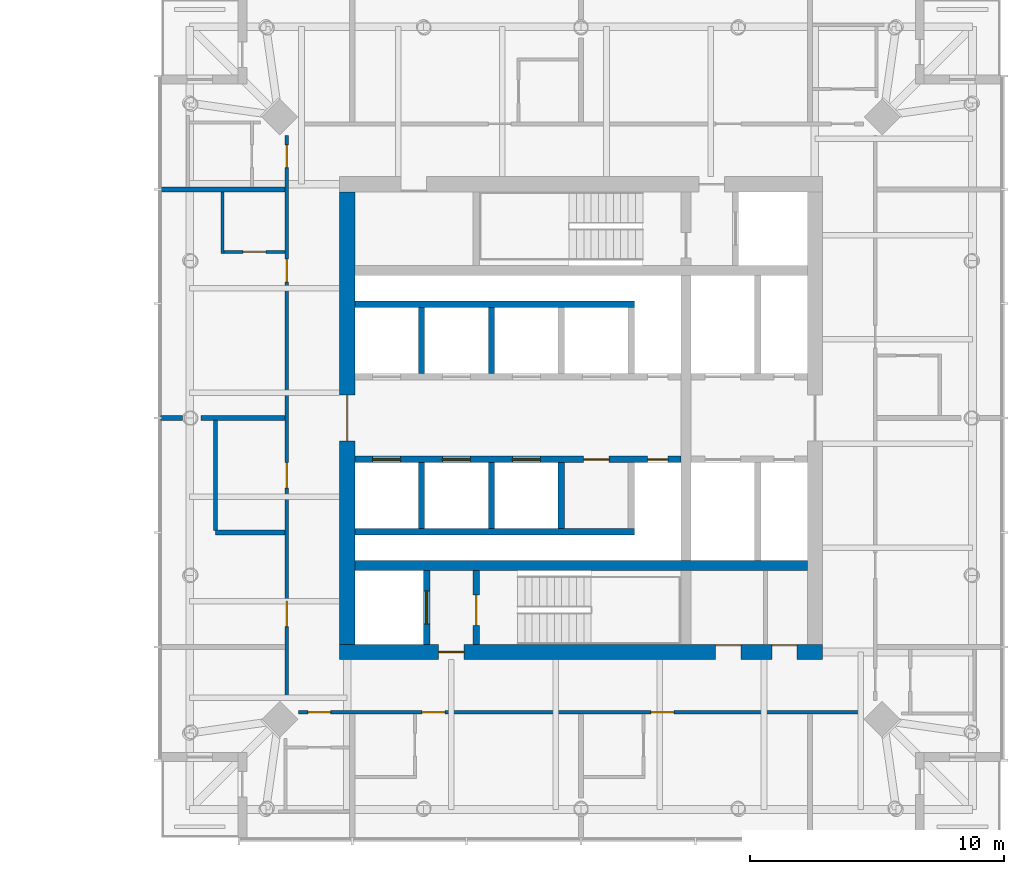
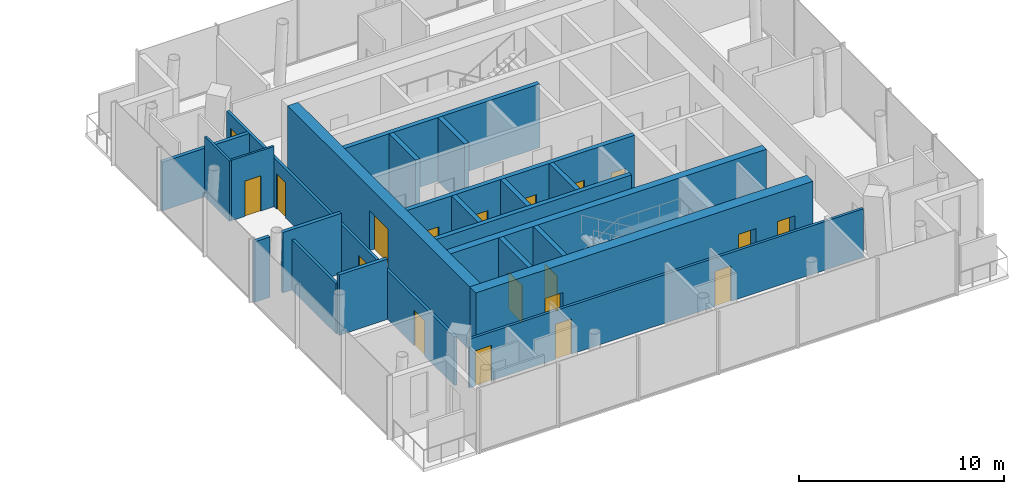
# One storey, part 13 of 18: 22 walls, 19 doors, 19 openings.
"""IFC4 building model written with IfcOpenShell, lengths in metres."""

import ifcopenshell
import ifcopenshell.guid

model = None  # the IFC model being written
_history = None  # IfcOwnerHistory: only IFC2X3 demands one
_inside = {}  # id of a spatial element -> (the spatial element, [elements in it])
_under = {}  # id of a project, library or spatial element -> (it, [spatial elements below it])
_declared = {}  # id of a project -> (the project, [libraries it declares])
_typed = {}  # id of a type object -> (the type object, [elements of that type])
_made_of = {}  # id of a material, layer set ... -> (it, [elements and type objects made of it])


def new_model(schema):
    """Start an empty IFC model of exactly this schema.

    Asked for "IFC4X3", IfcOpenShell would pick the latest addendum, in which some entities
    have other attributes; the version numbers below select the first issue.
    IFC2X3 requires an IfcOwnerHistory on every rooted entity: one is made here for all.
    """
    global model, _history
    if schema == "IFC4X3":
        model = ifcopenshell.file(schema_version=(4, 3, 0, 0))
    else:
        model = ifcopenshell.file(schema=schema)
    _inside.clear()
    _under.clear()
    _declared.clear()
    _typed.clear()
    _made_of.clear()
    _history = None
    if model.schema == "IFC2X3":
        org = make("IfcOrganization", Name="unknown")
        user = make(
            "IfcPersonAndOrganization",
            ThePerson=make("IfcPerson", FamilyName="unknown"),
            TheOrganization=org,
        )
        app = make(
            "IfcApplication",
            ApplicationDeveloper=org,
            Version="unknown",
            ApplicationFullName="unknown",
            ApplicationIdentifier="unknown",
        )
        _history = make(
            "IfcOwnerHistory",
            OwningUser=user,
            OwningApplication=app,
            ChangeAction="ADDED",
            CreationDate=0,
        )
    return model


def make(cls, **values):
    """One entity of the class cls with the attributes given. An attribute that is None is left unset."""
    return model.create_entity(
        cls, **{name: value for name, value in values.items() if value is not None}
    )


def rooted(cls, **values):
    """An entity with a GlobalId (a new one), such as an element, a storey or a relation."""
    return make(cls, GlobalId=ifcopenshell.guid.new(), OwnerHistory=_history, **values)


def si_unit(unit_type, name, prefix=None):
    """IfcSIUnit, for example si_unit("LENGTHUNIT", "METRE", prefix="MILLI")."""
    return make("IfcSIUnit", UnitType=unit_type, Prefix=prefix, Name=name)


def assignment(units):
    """IfcUnitAssignment: the units of a project."""
    return None if units is None else make("IfcUnitAssignment", Units=units)


def point(xyz):
    """IfcCartesianPoint."""
    return None if xyz is None else make("IfcCartesianPoint", Coordinates=xyz)


def direction(xyz):
    """IfcDirection."""
    return None if xyz is None else make("IfcDirection", DirectionRatios=xyz)


def frame(location, z_axis=None, x_axis=None):
    """IfcAxis2Placement3D, a coordinate frame: its origin and axes. An axis left out is left unset."""
    return make(
        "IfcAxis2Placement3D",
        Location=point(location),
        Axis=direction(z_axis),
        RefDirection=direction(x_axis),
    )


def frame_2d(location, x_axis=None):
    """IfcAxis2Placement2D, a coordinate frame in the plane: its origin and x axis."""
    return make(
        "IfcAxis2Placement2D", Location=point(location), RefDirection=direction(x_axis)
    )


def origin():
    """The frame at (0, 0, 0) with its axes left unset."""
    return frame((0.0, 0.0, 0.0))


def place(relative_to, where):
    """IfcLocalPlacement: puts the frame where relative to a parent placement (None: the world)."""
    return make(
        "IfcLocalPlacement", PlacementRelTo=relative_to, RelativePlacement=where
    )


def context(
    kind, dimensions, precision=None, world=None, true_north=None, identifier=None
):
    """IfcGeometricRepresentationContext, for example the 3D "Model" context."""
    return make(
        "IfcGeometricRepresentationContext",
        ContextIdentifier=identifier,
        ContextType=kind,
        CoordinateSpaceDimension=dimensions,
        Precision=precision,
        WorldCoordinateSystem=world,
        TrueNorth=true_north,
    )


def subcontext(parent, identifier, kind, view, scale=None):
    """IfcGeometricRepresentationSubContext, for example "Body" below "Model"."""
    return make(
        "IfcGeometricRepresentationSubContext",
        ContextIdentifier=identifier,
        ContextType=kind,
        ParentContext=parent,
        TargetScale=scale,
        TargetView=view,
    )


def project(units=None, contexts=None):
    """IfcProject with its units and contexts."""
    return rooted(
        "IfcProject",
        Name="project",
        RepresentationContexts=contexts,
        UnitsInContext=assignment(units),
    )


def spatial(cls, under=None, at=None, **own):
    """A site, building, storey or space (cls), placed at a placement, below another one or the project."""
    s = rooted(cls, ObjectPlacement=at, **own)
    if under is not None:
        _under.setdefault(under.id(), (under, []))[1].append(s)
    return s


def profile(cls, at=None, kind="AREA", **sizes):
    """A parametric profile (cls). Its sizes go by their IFC names, for example OverallWidth=200.0."""
    return make(cls, ProfileType=kind, Position=at, **sizes)


def rectangle(**sizes):
    """IfcRectangleProfileDef."""
    return profile("IfcRectangleProfileDef", **sizes)


def extrude(swept, where, along, depth):
    """IfcExtrudedAreaSolid: the profile swept, set in the frame where, extruded along a direction by depth."""
    return make(
        "IfcExtrudedAreaSolid",
        SweptArea=swept,
        Position=where,
        ExtrudedDirection=direction(along),
        Depth=depth,
    )


def shape(context_of_items, identifier, shape_type, items):
    """IfcShapeRepresentation: the items that make up one representation, for example the "Body"."""
    return make(
        "IfcShapeRepresentation",
        ContextOfItems=context_of_items,
        RepresentationIdentifier=identifier,
        RepresentationType=shape_type,
        Items=items,
    )


def material(Name=None, Category=None):
    """IfcMaterial."""
    return make("IfcMaterial", Name=Name, Category=Category)


def layer(
    of_material, thickness, ventilated=None, Name=None, Category=None, Priority=None
):
    """IfcMaterialLayer: one layer of a wall or slab, of a material (None: an air gap)."""
    return make(
        "IfcMaterialLayer",
        Material=of_material,
        LayerThickness=thickness,
        IsVentilated=ventilated,
        Name=Name,
        Category=Category,
        Priority=Priority,
    )


def layer_set(layers, Name=None):
    """IfcMaterialLayerSet."""
    return make("IfcMaterialLayerSet", MaterialLayers=layers, LayerSetName=Name)


def made_of(thing, what):
    """Note that an element or type object is made of a material, layer set ...; save() writes the relation."""
    if what is not None:
        _made_of.setdefault(what.id(), (what, []))[1].append(thing)
    return thing


def type_object(cls, material=None, **own):
    """A type object (cls), such as IfcWallType, which elements share."""
    return made_of(rooted(cls, **own), material)


def element(
    cls,
    number,
    at=None,
    inside=None,
    cuts=None,
    type_object=None,
    material=None,
    context=None,
    identifier="Body",
    shape_type=None,
    held_by="IfcProductDefinitionShape",
    body=None,
    shapes=None,
    **own,
):
    """One element of the class cls, such as IfcWall. Its Tag is "e" and its number.

    at: its placement. inside: the storey or other place that contains it. cuts: it is an
    opening in that element (IfcRelVoidsElement). A single representation is given by context,
    identifier, shape_type and body (its items); several are given by shapes. held_by: the class
    of the entity that holds the representations. save() writes the other relations.
    """
    e = rooted(cls, Tag="e%d" % number, ObjectPlacement=at, **own)
    if body is not None:
        shapes = [shape(context, identifier, shape_type, body)]
    if shapes is not None:
        e.Representation = make(held_by, Representations=shapes)
    if inside is not None:
        _inside.setdefault(inside.id(), (inside, []))[1].append(e)
    if cuts is not None:
        rooted(
            "IfcRelVoidsElement", RelatingBuildingElement=cuts, RelatedOpeningElement=e
        )
    if type_object is not None:
        _typed.setdefault(type_object.id(), (type_object, []))[1].append(e)
    return made_of(e, material)


def fill(opening, filler):
    """IfcRelFillsElement: the door or window that sits in an opening."""
    return rooted(
        "IfcRelFillsElement",
        RelatingOpeningElement=opening,
        RelatedBuildingElement=filler,
    )


def aggregate(whole, parts):
    """IfcRelAggregates: a whole, such as a stair, and the parts it consists of."""
    return rooted("IfcRelAggregates", RelatingObject=whole, RelatedObjects=parts)


def save(model, path):
    """Write the relations noted so far, then the file.

    IfcRelAggregates (storeys below a building ...), IfcRelContainedInSpatialStructure (elements
    in a storey), IfcRelDefinesByType, IfcRelAssociatesMaterial and IfcRelDeclares: one each for
    every whole, place, type object, material and project.
    """
    for whole, parts in _under.values():
        aggregate(whole, parts)
    for where, things in _inside.values():
        rooted(
            "IfcRelContainedInSpatialStructure",
            RelatedElements=things,
            RelatingStructure=where,
        )
    for kind, things in _typed.values():
        rooted("IfcRelDefinesByType", RelatedObjects=things, RelatingType=kind)
    for what, things in _made_of.values():
        rooted("IfcRelAssociatesMaterial", RelatedObjects=things, RelatingMaterial=what)
    for by, libraries in _declared.values():
        rooted("IfcRelDeclares", RelatingContext=by, RelatedDefinitions=libraries)
    model.write(path)


model = new_model("IFC4")

# Units and contexts
model_context = context("Model", 3, precision=1e-05, world=origin(), true_north=direction((0.0, 1.0)))
body_context = subcontext(model_context, "Body", "Model", "MODEL_VIEW")
ifc_project = project(units=[si_unit("LENGTHUNIT", "METRE"), si_unit("AREAUNIT", "SQUARE_METRE"), si_unit("VOLUMEUNIT", "CUBIC_METRE"), si_unit("PLANEANGLEUNIT", "RADIAN"), si_unit("MASSUNIT", "GRAM", prefix="KILO")], contexts=[model_context])

# Site, building, storey
site_placement = place(None, origin())
site = spatial("IfcSite", under=ifc_project, at=site_placement, CompositionType="ELEMENT")
building_placement = place(site_placement, origin())
building = spatial("IfcBuilding", under=site, at=building_placement, Name="Ostroluk Exchange", CompositionType="ELEMENT")
storey_placement = place(building_placement, frame((0.0, 0.0, 104.60009765625)))
storey = spatial("IfcBuildingStorey", under=building, at=storey_placement, Name="L26", CompositionType="ELEMENT", Elevation=104.60009765625)

# Wall
ifc_material_1 = material(Name="Concrete C50/60", Category="concrete")
ifc_layer_1 = layer(ifc_material_1, 0.39990234375)
ifc_layer_set_1 = layer_set([ifc_layer_1], Name="Core cross wall 400 C50/60")
wall_type_1 = type_object("IfcWallType", Name="Core cross wall 400 C50/60", PredefinedType="SHEAR", material=ifc_layer_set_1)
wall_1_placement = place(storey_placement, frame((108.10009765625, 40.199951171875, 0.0), z_axis=(0.0, 0.0, 1.0), x_axis=(1.0, 0.0, 0.0)))
element("IfcWall", 1, at=wall_1_placement, inside=storey, type_object=wall_type_1, Name="T2 core wall XS", PredefinedType="SHEAR", context=body_context, shape_type="SweptSolid", body=[
    extrude(rectangle(XDim=17.7998046875, YDim=0.39990234375, at=frame_2d((8.89990234375, 0.0))), origin(), (0.0, 0.0, 1.0), 3.7998046875),
])

# Wall, opening, door
ifc_material_2 = material(Name="Concrete C40/50", Category="concrete")
ifc_layer_2 = layer(ifc_material_2, 0.25)
ifc_layer_set_2 = layer_set([ifc_layer_2], Name="Core shaft wall 250")
wall_type_2 = type_object("IfcWallType", Name="Core shaft wall 250", PredefinedType="SHEAR", material=ifc_layer_set_2)
wall_2_placement = place(storey_placement, frame((110.925048828125, 37.10009765625, 0.0), z_axis=(0.0, 0.0, 1.0), x_axis=(0.0, 1.0, 0.0)))
wall_2 = element("IfcWall", 2, at=wall_2_placement, inside=storey, type_object=wall_type_2, Name="Firefighting lift shaft wall", PredefinedType="SHEAR", context=body_context, shape_type="SweptSolid", body=[
    extrude(rectangle(XDim=2.89990234375, YDim=0.25, at=frame_2d((1.449951171875, 0.0))), origin(), (0.0, 0.0, 1.0), 3.7998046875),
])
opening_1_placement = place(wall_2_placement, frame((0.800048828125, 0.0, 0.0)))
opening_1 = element("IfcOpeningElement", 3, at=opening_1_placement, cuts=wall_2, Name="Opening LD2", PredefinedType="OPENING", context=body_context, shape_type="SweptSolid", body=[
    extrude(rectangle(XDim=1.300048828125, YDim=2.199951171875, at=frame_2d((0.64990234375, 1.10009765625))), frame((0.0, 0.135009765625, 0.0), z_axis=(0.0, -1.0, 0.0), x_axis=(1.0, 0.0, 0.0)), (0.0, 0.0, 1.0), 0.27001953125),
])
ifc_material_3 = material(Name="Stainless steel", Category="steel")
door_type_1 = type_object("IfcDoorType", Name="Lift landing door E 60 1300 x 2200", OperationType="DOUBLE_DOOR_SLIDING", PredefinedType="DOOR", material=ifc_material_3)
door_1_placement = place(opening_1_placement, origin())
door_1 = element("IfcDoor", 4, at=door_1_placement, inside=storey, type_object=door_type_1, Name="Lift HF1 landing door", OperationType="DOUBLE_DOOR_SLIDING", OverallHeight=2.199951171875, OverallWidth=1.300048828125, PredefinedType="DOOR", context=body_context, shape_type="SweptSolid", body=[
    extrude(rectangle(XDim=1.300048828125, YDim=2.199951171875, at=frame_2d((0.64990234375, 1.10009765625))), frame((0.0, 0.02490234375, 0.0), z_axis=(0.0, -1.0, 0.0), x_axis=(1.0, 0.0, 0.0)), (0.0, 0.0, 1.0), 0.050048828125),
])
fill(opening_1, door_1)

wall_3_placement = place(storey_placement, frame((112.875, 37.10009765625, 0.0), z_axis=(0.0, 0.0, 1.0), x_axis=(0.0, 1.0, 0.0)))
wall_3 = element("IfcWall", 5, at=wall_3_placement, inside=storey, type_object=wall_type_2, Name="Stair shaft wall", PredefinedType="SHEAR", context=body_context, shape_type="SweptSolid", body=[
    extrude(rectangle(XDim=2.89990234375, YDim=0.25, at=frame_2d((1.449951171875, 0.0))), origin(), (0.0, 0.0, 1.0), 3.7998046875),
])
opening_2_placement = place(wall_3_placement, frame((0.75, 0.0, 0.0)))
opening_2 = element("IfcOpeningElement", 6, at=opening_2_placement, cuts=wall_3, Name="Opening FD60S", PredefinedType="OPENING", context=body_context, shape_type="SweptSolid", body=[
    extrude(rectangle(XDim=1.199951171875, YDim=2.10009765625, at=frame_2d((0.60009765625, 1.050048828125))), frame((0.0, 0.135009765625, 0.0), z_axis=(0.0, -1.0, 0.0), x_axis=(1.0, 0.0, 0.0)), (0.0, 0.0, 1.0), 0.27001953125),
])
ifc_material_4 = material(Name="Steel", Category="steel")
door_type_2 = type_object("IfcDoorType", Name="Stair door EI 60 1200 x 2100", OperationType="SINGLE_SWING_LEFT", PredefinedType="DOOR", material=ifc_material_4)
door_2_placement = place(opening_2_placement, origin())
door_2 = element("IfcDoor", 7, at=door_2_placement, inside=storey, type_object=door_type_2, Name="Stair T2-S1 door", OperationType="SINGLE_SWING_LEFT", OverallHeight=2.10009765625, OverallWidth=1.199951171875, PredefinedType="DOOR", context=body_context, shape_type="SweptSolid", body=[
    extrude(rectangle(XDim=1.199951171875, YDim=2.10009765625, at=frame_2d((0.60009765625, 1.050048828125))), frame((0.0, 0.02490234375, 0.0), z_axis=(0.0, -1.0, 0.0), x_axis=(1.0, 0.0, 0.0)), (0.0, 0.0, 1.0), 0.050048828125),
])
fill(opening_2, door_2)

# Walls
for number, where, z_axis, x_axis, name in (
    (8, (110.72509765625, 47.75, 0.0), (0.0, 0.0, 1.0), (0.0, 1.0, 0.0), "Lift shaft wall"),
    (9, (113.47509765625, 47.75, 0.0), (0.0, 0.0, 1.0), (0.0, 1.0, 0.0), "Lift shaft wall"),
):
    element("IfcWall", number, at=place(storey_placement, frame(where, z_axis=z_axis, x_axis=x_axis)), inside=storey, type_object=wall_type_2, Name=name, PredefinedType="SHEAR", context=body_context, shape_type="SweptSolid", body=[
        extrude(rectangle(XDim=2.60009765625, YDim=0.25, at=frame_2d((1.300048828125, 0.0))), origin(), (0.0, 0.0, 1.0), 3.7998046875),
    ])
wall_4_placement = place(storey_placement, frame((108.10009765625, 50.47509765625, 0.0), z_axis=(0.0, 0.0, 1.0), x_axis=(1.0, 0.0, 0.0)))
element("IfcWall", 10, at=wall_4_placement, inside=storey, type_object=wall_type_2, Name="Lift shaft wall", PredefinedType="SHEAR", context=body_context, shape_type="SweptSolid", body=[
    extrude(rectangle(XDim=11.0, YDim=0.25, at=frame_2d((5.5, 0.0))), origin(), (0.0, 0.0, 1.0), 3.7998046875),
])
for number, where, z_axis, x_axis, name in (
    (11, (110.72509765625, 44.25, 0.0), (0.0, 0.0, 1.0), (0.0, -1.0, 0.0), "Lift shaft wall"),
    (12, (113.47509765625, 44.25, 0.0), (0.0, 0.0, 1.0), (0.0, -1.0, 0.0), "Lift shaft wall"),
    (13, (116.22509765625, 44.25, 0.0), (0.0, 0.0, 1.0), (0.0, -1.0, 0.0), "Lift shaft wall"),
):
    element("IfcWall", number, at=place(storey_placement, frame(where, z_axis=z_axis, x_axis=x_axis)), inside=storey, type_object=wall_type_2, Name=name, PredefinedType="SHEAR", context=body_context, shape_type="SweptSolid", body=[
        extrude(rectangle(XDim=2.60009765625, YDim=0.25, at=frame_2d((1.300048828125, 0.0))), origin(), (0.0, 0.0, 1.0), 3.7998046875),
    ])
wall_5_placement = place(storey_placement, frame((108.10009765625, 41.52490234375, 0.0), z_axis=(0.0, 0.0, 1.0), x_axis=(1.0, 0.0, 0.0)))
element("IfcWall", 14, at=wall_5_placement, inside=storey, type_object=wall_type_2, Name="Lift shaft wall", PredefinedType="SHEAR", context=body_context, shape_type="SweptSolid", body=[
    extrude(rectangle(XDim=11.0, YDim=0.25, at=frame_2d((5.5, 0.0))), origin(), (0.0, 0.0, 1.0), 3.7998046875),
])

# Wall, openings, doors
wall_6_placement = place(storey_placement, frame((108.10009765625, 44.375, 0.0), z_axis=(0.0, 0.0, 1.0), x_axis=(1.0, 0.0, 0.0)))
wall_6 = element("IfcWall", 15, at=wall_6_placement, inside=storey, type_object=wall_type_2, Name="Lift shaft front wall", PredefinedType="SHEAR", context=body_context, shape_type="SweptSolid", body=[
    extrude(rectangle(XDim=12.829833984375, YDim=0.25, at=frame_2d((6.4150390625, 0.0))), origin(), (0.0, 0.0, 1.0), 3.7998046875),
])
opening_3_placement = place(wall_6_placement, frame((0.699951171875, 0.0, 0.0)))
opening_3 = element("IfcOpeningElement", 16, at=opening_3_placement, cuts=wall_6, Name="Opening LD", PredefinedType="OPENING", context=body_context, shape_type="SweptSolid", body=[
    extrude(rectangle(XDim=1.10009765625, YDim=2.199951171875, at=frame_2d((0.550048828125, 1.10009765625))), frame((0.0, 0.135009765625, 0.0), z_axis=(0.0, -1.0, 0.0), x_axis=(1.0, 0.0, 0.0)), (0.0, 0.0, 1.0), 0.27001953125),
])
opening_4_placement = place(wall_6_placement, frame((3.449951171875, 0.0, 0.0)))
opening_4 = element("IfcOpeningElement", 17, at=opening_4_placement, cuts=wall_6, Name="Opening LD", PredefinedType="OPENING", context=body_context, shape_type="SweptSolid", body=[
    extrude(rectangle(XDim=1.10009765625, YDim=2.199951171875, at=frame_2d((0.550048828125, 1.10009765625))), frame((0.0, 0.135009765625, 0.0), z_axis=(0.0, -1.0, 0.0), x_axis=(1.0, 0.0, 0.0)), (0.0, 0.0, 1.0), 0.27001953125),
])
opening_5_placement = place(wall_6_placement, frame((6.199951171875, 0.0, 0.0)))
opening_5 = element("IfcOpeningElement", 18, at=opening_5_placement, cuts=wall_6, Name="Opening LD", PredefinedType="OPENING", context=body_context, shape_type="SweptSolid", body=[
    extrude(rectangle(XDim=1.10009765625, YDim=2.199951171875, at=frame_2d((0.550048828125, 1.10009765625))), frame((0.0, 0.135009765625, 0.0), z_axis=(0.0, -1.0, 0.0), x_axis=(1.0, 0.0, 0.0)), (0.0, 0.0, 1.0), 0.27001953125),
])
opening_6_placement = place(wall_6_placement, frame((9.0, 0.0, 0.0)))
opening_6 = element("IfcOpeningElement", 19, at=opening_6_placement, cuts=wall_6, Name="Opening FD60", PredefinedType="OPENING", context=body_context, shape_type="SweptSolid", body=[
    extrude(rectangle(XDim=1.0, YDim=2.10009765625, at=frame_2d((0.5, 1.050048828125))), frame((0.0, 0.135009765625, 0.0), z_axis=(0.0, -1.0, 0.0), x_axis=(1.0, 0.0, 0.0)), (0.0, 0.0, 1.0), 0.27001953125),
])
opening_7_placement = place(wall_6_placement, frame((11.514892578125, 0.0, 0.0)))
opening_7 = element("IfcOpeningElement", 20, at=opening_7_placement, cuts=wall_6, Name="Opening RD60", PredefinedType="OPENING", context=body_context, shape_type="SweptSolid", body=[
    extrude(rectangle(XDim=0.800048828125, YDim=2.0, at=frame_2d((0.39990234375, 1.0))), frame((0.0, 0.135009765625, 0.0), z_axis=(0.0, -1.0, 0.0), x_axis=(1.0, 0.0, 0.0)), (0.0, 0.0, 1.0), 0.27001953125),
])
ifc_material_5 = material(Name="Steel", Category="steel")
door_type_3 = type_object("IfcDoorType", Name="Fire door EI 60 1000 x 2100", OperationType="SINGLE_SWING_LEFT", PredefinedType="DOOR", material=ifc_material_5)
door_3_placement = place(opening_6_placement, origin())
door_3 = element("IfcDoor", 21, at=door_3_placement, inside=storey, type_object=door_type_3, Name="Core room door", OperationType="SINGLE_SWING_RIGHT", OverallHeight=2.10009765625, OverallWidth=1.0, PredefinedType="DOOR", context=body_context, shape_type="SweptSolid", body=[
    extrude(rectangle(XDim=1.0, YDim=2.10009765625, at=frame_2d((0.5, 1.050048828125))), frame((0.0, 0.02490234375, 0.0), z_axis=(0.0, -1.0, 0.0), x_axis=(1.0, 0.0, 0.0)), (0.0, 0.0, 1.0), 0.050048828125),
])
fill(opening_6, door_3)
ifc_material_6 = material(Name="Stainless steel", Category="steel")
door_type_4 = type_object("IfcDoorType", Name="Lift landing door E 60 1100 x 2200", OperationType="DOUBLE_DOOR_SLIDING", PredefinedType="DOOR", material=ifc_material_6)
door_4_placement = place(opening_3_placement, origin())
door_4 = element("IfcDoor", 22, at=door_4_placement, inside=storey, type_object=door_type_4, Name="Lift HL5 landing door", OperationType="DOUBLE_DOOR_SLIDING", OverallHeight=2.199951171875, OverallWidth=1.10009765625, PredefinedType="DOOR", context=body_context, shape_type="SweptSolid", body=[
    extrude(rectangle(XDim=1.10009765625, YDim=2.199951171875, at=frame_2d((0.550048828125, 1.10009765625))), frame((0.0, 0.02490234375, 0.0), z_axis=(0.0, -1.0, 0.0), x_axis=(1.0, 0.0, 0.0)), (0.0, 0.0, 1.0), 0.050048828125),
])
fill(opening_3, door_4)
door_5_placement = place(opening_4_placement, origin())
door_5 = element("IfcDoor", 23, at=door_5_placement, inside=storey, type_object=door_type_4, Name="Lift HL6 landing door", OperationType="DOUBLE_DOOR_SLIDING", OverallHeight=2.199951171875, OverallWidth=1.10009765625, PredefinedType="DOOR", context=body_context, shape_type="SweptSolid", body=[
    extrude(rectangle(XDim=1.10009765625, YDim=2.199951171875, at=frame_2d((0.550048828125, 1.10009765625))), frame((0.0, 0.02490234375, 0.0), z_axis=(0.0, -1.0, 0.0), x_axis=(1.0, 0.0, 0.0)), (0.0, 0.0, 1.0), 0.050048828125),
])
fill(opening_4, door_5)
door_6_placement = place(opening_5_placement, origin())
door_6 = element("IfcDoor", 24, at=door_6_placement, inside=storey, type_object=door_type_4, Name="Lift HL7 landing door", OperationType="DOUBLE_DOOR_SLIDING", OverallHeight=2.199951171875, OverallWidth=1.10009765625, PredefinedType="DOOR", context=body_context, shape_type="SweptSolid", body=[
    extrude(rectangle(XDim=1.10009765625, YDim=2.199951171875, at=frame_2d((0.550048828125, 1.10009765625))), frame((0.0, 0.02490234375, 0.0), z_axis=(0.0, -1.0, 0.0), x_axis=(1.0, 0.0, 0.0)), (0.0, 0.0, 1.0), 0.050048828125),
])
fill(opening_5, door_6)
ifc_material_7 = material(Name="Steel", Category="steel")
door_type_5 = type_object("IfcDoorType", Name="Riser access door EI 60 800 x 2000", OperationType="SINGLE_SWING_LEFT", PredefinedType="DOOR", material=ifc_material_7)
door_7_placement = place(opening_7_placement, origin())
door_7 = element("IfcDoor", 25, at=door_7_placement, inside=storey, type_object=door_type_5, Name="Riser access door", OperationType="SINGLE_SWING_RIGHT", OverallHeight=2.0, OverallWidth=0.800048828125, PredefinedType="DOOR", context=body_context, shape_type="SweptSolid", body=[
    extrude(rectangle(XDim=0.800048828125, YDim=2.0, at=frame_2d((0.39990234375, 1.0))), frame((0.0, 0.02490234375, 0.0), z_axis=(0.0, -1.0, 0.0), x_axis=(1.0, 0.0, 0.0)), (0.0, 0.0, 1.0), 0.050048828125),
])
fill(opening_7, door_7)

ifc_material_8 = material(Name="Concrete C50/60", Category="concrete")
ifc_layer_3 = layer(ifc_material_8, 0.60009765625)
ifc_layer_set_3 = layer_set([ifc_layer_3], Name="Core wall 600 C50/60")
wall_type_3 = type_object("IfcWallType", Name="Core wall 600 C50/60", PredefinedType="SHEAR", material=ifc_layer_set_3)
wall_7_placement = place(storey_placement, frame((107.5, 36.800048828125, 0.0), z_axis=(0.0, 0.0, 1.0), x_axis=(1.0, 0.0, 0.0)))
wall_7 = element("IfcWall", 26, at=wall_7_placement, inside=storey, type_object=wall_type_3, Name="T2 core wall S", PredefinedType="SHEAR", context=body_context, shape_type="SweptSolid", body=[
    extrude(rectangle(XDim=19.0, YDim=0.60009765625, at=frame_2d((9.5, 0.0))), origin(), (0.0, 0.0, 1.0), 3.7998046875),
])
opening_8_placement = place(wall_7_placement, frame((3.89990234375, 0.0, 0.0)))
opening_8 = element("IfcOpeningElement", 27, at=opening_8_placement, cuts=wall_7, Name="Opening FD60", PredefinedType="OPENING", context=body_context, shape_type="SweptSolid", body=[
    extrude(rectangle(XDim=1.0, YDim=2.10009765625, at=frame_2d((0.5, 1.050048828125))), frame((0.0, 0.31005859375, 0.0), z_axis=(0.0, -1.0, 0.0), x_axis=(1.0, 0.0, 0.0)), (0.0, 0.0, 1.0), 0.6201171875),
])
opening_9_placement = place(wall_7_placement, frame((14.79248046875, 0.0, 0.0)))
opening_9 = element("IfcOpeningElement", 28, at=opening_9_placement, cuts=wall_7, Name="Opening FD60", PredefinedType="OPENING", context=body_context, shape_type="SweptSolid", body=[
    extrude(rectangle(XDim=1.0, YDim=2.10009765625, at=frame_2d((0.5, 1.050048828125))), frame((0.0, 0.31005859375, 0.0), z_axis=(0.0, -1.0, 0.0), x_axis=(1.0, 0.0, 0.0)), (0.0, 0.0, 1.0), 0.6201171875),
])
opening_10_placement = place(wall_7_placement, frame((17.0048828125, 0.0, 0.0)))
opening_10 = element("IfcOpeningElement", 29, at=opening_10_placement, cuts=wall_7, Name="Opening FD60", PredefinedType="OPENING", context=body_context, shape_type="SweptSolid", body=[
    extrude(rectangle(XDim=1.0, YDim=2.10009765625, at=frame_2d((0.5, 1.050048828125))), frame((0.0, 0.31005859375, 0.0), z_axis=(0.0, -1.0, 0.0), x_axis=(1.0, 0.0, 0.0)), (0.0, 0.0, 1.0), 0.6201171875),
])
door_8_placement = place(opening_8_placement, origin())
door_8 = element("IfcDoor", 30, at=door_8_placement, inside=storey, type_object=door_type_3, Name="Firefighting lobby door", OperationType="SINGLE_SWING_LEFT", OverallHeight=2.10009765625, OverallWidth=1.0, PredefinedType="DOOR", context=body_context, shape_type="SweptSolid", body=[
    extrude(rectangle(XDim=1.0, YDim=2.10009765625, at=frame_2d((0.5, 1.050048828125))), frame((0.0, 0.02490234375, 0.0), z_axis=(0.0, -1.0, 0.0), x_axis=(1.0, 0.0, 0.0)), (0.0, 0.0, 1.0), 0.050048828125),
])
fill(opening_8, door_8)
door_9_placement = place(opening_9_placement, origin())
door_9 = element("IfcDoor", 31, at=door_9_placement, inside=storey, type_object=door_type_3, Name="Ice and vending room door", OperationType="SINGLE_SWING_RIGHT", OverallHeight=2.10009765625, OverallWidth=1.0, PredefinedType="DOOR", context=body_context, shape_type="SweptSolid", body=[
    extrude(rectangle(XDim=1.0, YDim=2.10009765625, at=frame_2d((0.5, 1.050048828125))), frame((0.0, 0.2900390625, 0.0), z_axis=(0.0, -1.0, 0.0), x_axis=(1.0, 0.0, 0.0)), (0.0, 0.0, 1.0), 0.050048828125),
])
fill(opening_9, door_9)
door_10_placement = place(opening_10_placement, origin())
door_10 = element("IfcDoor", 32, at=door_10_placement, inside=storey, type_object=door_type_3, Name="Luggage store door", OperationType="SINGLE_SWING_RIGHT", OverallHeight=2.10009765625, OverallWidth=1.0, PredefinedType="DOOR", context=body_context, shape_type="SweptSolid", body=[
    extrude(rectangle(XDim=1.0, YDim=2.10009765625, at=frame_2d((0.5, 1.050048828125))), frame((0.0, 0.2900390625, 0.0), z_axis=(0.0, -1.0, 0.0), x_axis=(1.0, 0.0, 0.0)), (0.0, 0.0, 1.0), 0.050048828125),
])
fill(opening_10, door_10)

# Wall, opening, door
wall_8_placement = place(storey_placement, frame((107.800048828125, 37.10009765625, 0.0), z_axis=(0.0, 0.0, 1.0), x_axis=(0.0, 1.0, 0.0)))
wall_8 = element("IfcWall", 33, at=wall_8_placement, inside=storey, type_object=wall_type_3, Name="T2 core wall W", PredefinedType="SHEAR", context=body_context, shape_type="SweptSolid", body=[
    extrude(rectangle(XDim=17.7998046875, YDim=0.60009765625, at=frame_2d((8.89990234375, 0.0))), origin(), (0.0, 0.0, 1.0), 3.7998046875),
])
opening_11_placement = place(wall_8_placement, frame((8.0, 0.0, 0.0)))
opening_11 = element("IfcOpeningElement", 34, at=opening_11_placement, cuts=wall_8, Name="Opening FD30D", PredefinedType="OPENING", context=body_context, shape_type="SweptSolid", body=[
    extrude(rectangle(XDim=1.800048828125, YDim=2.39990234375, at=frame_2d((0.89990234375, 1.199951171875))), frame((0.0, 0.31005859375, 0.0), z_axis=(0.0, -1.0, 0.0), x_axis=(1.0, 0.0, 0.0)), (0.0, 0.0, 1.0), 0.6201171875),
])
ifc_material_9 = material(Name="Timber", Category="wood")
door_type_6 = type_object("IfcDoorType", Name="Lobby double door EI 30 1800 x 2400", OperationType="DOUBLE_DOOR_SINGLE_SWING", PredefinedType="DOOR", material=ifc_material_9)
door_11_placement = place(opening_11_placement, origin())
door_11 = element("IfcDoor", 35, at=door_11_placement, inside=storey, type_object=door_type_6, Name="Lift lobby doors", OperationType="DOUBLE_DOOR_SINGLE_SWING", OverallHeight=2.39990234375, OverallWidth=1.800048828125, PredefinedType="DOOR", context=body_context, shape_type="SweptSolid", body=[
    extrude(rectangle(XDim=1.800048828125, YDim=2.39990234375, at=frame_2d((0.89990234375, 1.199951171875))), frame((0.0, 0.02490234375, 0.0), z_axis=(0.0, -1.0, 0.0), x_axis=(1.0, 0.0, 0.0)), (0.0, 0.0, 1.0), 0.050048828125),
])
fill(opening_11, door_11)

# Wall
ifc_material_10 = material(Name="Gypsum plasterboard partition, moisture resistant", Category="gypsum")
ifc_layer_4 = layer(ifc_material_10, 0.1201171875)
ifc_layer_set_4 = layer_set([ifc_layer_4], Name="Plasterboard en-suite wall 120")
wall_type_4 = type_object("IfcWallType", Name="Plasterboard en-suite wall 120", PredefinedType="PARTITIONING", material=ifc_layer_set_4)
wall_9_placement = place(storey_placement, frame((102.889892578125, 54.89990234375, 0.0), z_axis=(0.0, 0.0, 1.0), x_axis=(0.0, -1.0, 0.0)))
element("IfcWall", 36, at=wall_9_placement, inside=storey, type_object=wall_type_4, Name="En-suite wall", PredefinedType="PARTITIONING", context=body_context, shape_type="SweptSolid", body=[
    extrude(rectangle(XDim=2.419921875, YDim=0.1201171875, at=frame_2d((1.2099609375, 0.0))), origin(), (0.0, 0.0, 1.0), 3.599853515625),
])

# Wall, opening, door
wall_10_placement = place(storey_placement, frame((105.35009765625, 52.5400390625, 0.0), z_axis=(0.0, 0.0, 1.0), x_axis=(-1.0, 0.0, 0.0)))
wall_10 = element("IfcWall", 37, at=wall_10_placement, inside=storey, type_object=wall_type_4, Name="En-suite wall", PredefinedType="PARTITIONING", context=body_context, shape_type="SweptSolid", body=[
    extrude(rectangle(XDim=2.400146484375, YDim=0.1201171875, at=frame_2d((1.2001953125, 0.0))), origin(), (0.0, 0.0, 1.0), 3.599853515625),
])
opening_12_placement = place(wall_10_placement, frame((0.75, 0.0, 0.0)))
opening_12 = element("IfcOpeningElement", 38, at=opening_12_placement, cuts=wall_10, Name="Opening D-02", PredefinedType="OPENING", context=body_context, shape_type="SweptSolid", body=[
    extrude(rectangle(XDim=0.89990234375, YDim=2.10009765625, at=frame_2d((0.449951171875, 1.050048828125))), frame((0.0, 0.070068359375, 0.0), z_axis=(0.0, -1.0, 0.0), x_axis=(1.0, 0.0, 0.0)), (0.0, 0.0, 1.0), 0.14013671875),
])
ifc_material_11 = material(Name="Timber", Category="wood")
door_type_7 = type_object("IfcDoorType", Name="En-suite door 900 x 2100", OperationType="SINGLE_SWING_LEFT", PredefinedType="DOOR", material=ifc_material_11)
door_12_placement = place(opening_12_placement, origin())
door_12 = element("IfcDoor", 39, at=door_12_placement, inside=storey, type_object=door_type_7, Name="En-suite door 2606", OperationType="SINGLE_SWING_RIGHT", OverallHeight=2.10009765625, OverallWidth=0.89990234375, PredefinedType="DOOR", context=body_context, shape_type="SweptSolid", body=[
    extrude(rectangle(XDim=0.89990234375, YDim=2.10009765625, at=frame_2d((0.449951171875, 1.050048828125))), frame((0.0, 0.02490234375, 0.0), z_axis=(0.0, -1.0, 0.0), x_axis=(1.0, 0.0, 0.0)), (0.0, 0.0, 1.0), 0.050048828125),
])
fill(opening_12, door_12)

# Wall
ifc_material_12 = material(Name="Gypsum plasterboard partition", Category="gypsum")
ifc_layer_5 = layer(ifc_material_12, 0.14990234375)
ifc_layer_set_5 = layer_set([ifc_layer_5], Name="Plasterboard partition 150")
wall_type_5 = type_object("IfcWallType", Name="Plasterboard partition 150", PredefinedType="PARTITIONING", material=ifc_layer_set_5)
wall_11_placement = place(storey_placement, frame((102.625, 45.925048828125, 0.0), z_axis=(0.0, 0.0, 1.0), x_axis=(0.0, -1.0, 0.0)))
element("IfcWall", 40, at=wall_11_placement, inside=storey, type_object=wall_type_5, Name="Partition", PredefinedType="PARTITIONING", context=body_context, shape_type="SweptSolid", body=[
    extrude(rectangle(XDim=4.35009765625, YDim=0.14990234375, at=frame_2d((2.175048828125, 0.0))), origin(), (0.0, 0.0, 1.0), 3.0),
])

# Wall, openings, doors
wall_12_placement = place(storey_placement, frame((105.425048828125, 57.1083984375, 0.0), z_axis=(0.0, 0.0, 1.0), x_axis=(0.0, -1.0, 0.0)))
wall_12 = element("IfcWall", 41, at=wall_12_placement, inside=storey, type_object=wall_type_5, Name="Corridor wall", PredefinedType="PARTITIONING", context=body_context, shape_type="SweptSolid", body=[
    extrude(rectangle(XDim=22.216796875, YDim=0.14990234375, at=frame_2d((11.1083984375, 0.0))), origin(), (0.0, 0.0, 1.0), 2.89990234375),
])
opening_13_placement = place(wall_12_placement, frame((0.3583984375, 0.0, 0.0)))
opening_13 = element("IfcOpeningElement", 42, at=opening_13_placement, cuts=wall_12, Name="Opening D-01", PredefinedType="OPENING", context=body_context, shape_type="SweptSolid", body=[
    extrude(rectangle(XDim=0.89990234375, YDim=2.10009765625, at=frame_2d((0.449951171875, 1.050048828125))), frame((0.0, 0.0849609375, 0.0), z_axis=(0.0, -1.0, 0.0), x_axis=(1.0, 0.0, 0.0)), (0.0, 0.0, 1.0), 0.169921875),
])
opening_14_placement = place(wall_12_placement, frame((4.8583984375, 0.0, 0.0)))
opening_14 = element("IfcOpeningElement", 43, at=opening_14_placement, cuts=wall_12, Name="Opening D-01", PredefinedType="OPENING", context=body_context, shape_type="SweptSolid", body=[
    extrude(rectangle(XDim=0.89990234375, YDim=2.10009765625, at=frame_2d((0.449951171875, 1.050048828125))), frame((0.0, 0.0849609375, 0.0), z_axis=(0.0, -1.0, 0.0), x_axis=(1.0, 0.0, 0.0)), (0.0, 0.0, 1.0), 0.169921875),
])
opening_15_placement = place(wall_12_placement, frame((12.8583984375, 0.0, 0.0)))
opening_15 = element("IfcOpeningElement", 44, at=opening_15_placement, cuts=wall_12, Name="Opening D-03", PredefinedType="OPENING", context=body_context, shape_type="SweptSolid", body=[
    extrude(rectangle(XDim=1.0, YDim=2.10009765625, at=frame_2d((0.5, 1.050048828125))), frame((0.0, 0.0849609375, 0.0), z_axis=(0.0, -1.0, 0.0), x_axis=(1.0, 0.0, 0.0)), (0.0, 0.0, 1.0), 0.169921875),
])
opening_16_placement = place(wall_12_placement, frame((18.308349609375, 0.0, 0.0)))
opening_16 = element("IfcOpeningElement", 45, at=opening_16_placement, cuts=wall_12, Name="Opening D-03", PredefinedType="OPENING", context=body_context, shape_type="SweptSolid", body=[
    extrude(rectangle(XDim=1.0, YDim=2.10009765625, at=frame_2d((0.5, 1.050048828125))), frame((0.0, 0.0849609375, 0.0), z_axis=(0.0, -1.0, 0.0), x_axis=(1.0, 0.0, 0.0)), (0.0, 0.0, 1.0), 0.169921875),
])
ifc_material_13 = material(Name="Timber", Category="wood")
door_type_8 = type_object("IfcDoorType", Name="Hotel room door EI 30 Sa 900 x 2100", OperationType="SINGLE_SWING_LEFT", PredefinedType="DOOR", material=ifc_material_13)
door_13_placement = place(opening_13_placement, origin())
door_13 = element("IfcDoor", 46, at=door_13_placement, inside=storey, type_object=door_type_8, Name="Room door 2605", OperationType="SINGLE_SWING_LEFT", OverallHeight=2.10009765625, OverallWidth=0.89990234375, PredefinedType="DOOR", context=body_context, shape_type="SweptSolid", body=[
    extrude(rectangle(XDim=0.89990234375, YDim=2.10009765625, at=frame_2d((0.449951171875, 1.050048828125))), frame((0.0, 0.02490234375, 0.0), z_axis=(0.0, -1.0, 0.0), x_axis=(1.0, 0.0, 0.0)), (0.0, 0.0, 1.0), 0.050048828125),
])
fill(opening_13, door_13)
door_14_placement = place(opening_14_placement, origin())
door_14 = element("IfcDoor", 47, at=door_14_placement, inside=storey, type_object=door_type_8, Name="Room door 2606", OperationType="SINGLE_SWING_LEFT", OverallHeight=2.10009765625, OverallWidth=0.89990234375, PredefinedType="DOOR", context=body_context, shape_type="SweptSolid", body=[
    extrude(rectangle(XDim=0.89990234375, YDim=2.10009765625, at=frame_2d((0.449951171875, 1.050048828125))), frame((0.0, 0.02490234375, 0.0), z_axis=(0.0, -1.0, 0.0), x_axis=(1.0, 0.0, 0.0)), (0.0, 0.0, 1.0), 0.050048828125),
])
fill(opening_14, door_14)
ifc_material_14 = material(Name="Timber", Category="wood")
door_type_9 = type_object("IfcDoorType", Name="Internal door 1000 x 2100", OperationType="SINGLE_SWING_LEFT", PredefinedType="DOOR", material=ifc_material_14)
door_15_placement = place(opening_15_placement, origin())
door_15 = element("IfcDoor", 48, at=door_15_placement, inside=storey, type_object=door_type_9, Name="Housekeeping store door", OperationType="SINGLE_SWING_RIGHT", OverallHeight=2.10009765625, OverallWidth=1.0, PredefinedType="DOOR", context=body_context, shape_type="SweptSolid", body=[
    extrude(rectangle(XDim=1.0, YDim=2.10009765625, at=frame_2d((0.5, 1.050048828125))), frame((0.0, 0.02490234375, 0.0), z_axis=(0.0, -1.0, 0.0), x_axis=(1.0, 0.0, 0.0)), (0.0, 0.0, 1.0), 0.050048828125),
])
fill(opening_15, door_15)
door_16_placement = place(opening_16_placement, origin())
door_16 = element("IfcDoor", 49, at=door_16_placement, inside=storey, type_object=door_type_9, Name="Guest lounge door", OperationType="SINGLE_SWING_RIGHT", OverallHeight=2.10009765625, OverallWidth=1.0, PredefinedType="DOOR", context=body_context, shape_type="SweptSolid", body=[
    extrude(rectangle(XDim=1.0, YDim=2.10009765625, at=frame_2d((0.5, 1.050048828125))), frame((0.0, 0.02490234375, 0.0), z_axis=(0.0, -1.0, 0.0), x_axis=(1.0, 0.0, 0.0)), (0.0, 0.0, 1.0), 0.050048828125),
])
fill(opening_16, door_16)

wall_13_placement = place(storey_placement, frame((105.8916015625, 34.425048828125, 0.0), z_axis=(0.0, 0.0, 1.0), x_axis=(1.0, 0.0, 0.0)))
wall_13 = element("IfcWall", 50, at=wall_13_placement, inside=storey, type_object=wall_type_5, Name="Corridor wall", PredefinedType="PARTITIONING", context=body_context, shape_type="SweptSolid", body=[
    extrude(rectangle(XDim=22.216796875, YDim=0.14990234375, at=frame_2d((11.1083984375, 0.0))), origin(), (0.0, 0.0, 1.0), 2.89990234375),
])
opening_17_placement = place(wall_13_placement, frame((0.3583984375, 0.0, 0.0)))
opening_17 = element("IfcOpeningElement", 51, at=opening_17_placement, cuts=wall_13, Name="Opening D-01", PredefinedType="OPENING", context=body_context, shape_type="SweptSolid", body=[
    extrude(rectangle(XDim=0.89990234375, YDim=2.10009765625, at=frame_2d((0.449951171875, 1.050048828125))), frame((0.0, 0.0849609375, 0.0), z_axis=(0.0, -1.0, 0.0), x_axis=(1.0, 0.0, 0.0)), (0.0, 0.0, 1.0), 0.169921875),
])
opening_18_placement = place(wall_13_placement, frame((4.8583984375, 0.0, 0.0)))
opening_18 = element("IfcOpeningElement", 52, at=opening_18_placement, cuts=wall_13, Name="Opening D-01", PredefinedType="OPENING", context=body_context, shape_type="SweptSolid", body=[
    extrude(rectangle(XDim=0.89990234375, YDim=2.10009765625, at=frame_2d((0.449951171875, 1.050048828125))), frame((0.0, 0.0849609375, 0.0), z_axis=(0.0, -1.0, 0.0), x_axis=(1.0, 0.0, 0.0)), (0.0, 0.0, 1.0), 0.169921875),
])
opening_19_placement = place(wall_13_placement, frame((13.8583984375, 0.0, 0.0)))
opening_19 = element("IfcOpeningElement", 53, at=opening_19_placement, cuts=wall_13, Name="Opening D-01", PredefinedType="OPENING", context=body_context, shape_type="SweptSolid", body=[
    extrude(rectangle(XDim=0.89990234375, YDim=2.10009765625, at=frame_2d((0.449951171875, 1.050048828125))), frame((0.0, 0.0849609375, 0.0), z_axis=(0.0, -1.0, 0.0), x_axis=(1.0, 0.0, 0.0)), (0.0, 0.0, 1.0), 0.169921875),
])
door_17_placement = place(opening_17_placement, origin())
door_17 = element("IfcDoor", 54, at=door_17_placement, inside=storey, type_object=door_type_8, Name="Room door 2607", OperationType="SINGLE_SWING_LEFT", OverallHeight=2.10009765625, OverallWidth=0.89990234375, PredefinedType="DOOR", context=body_context, shape_type="SweptSolid", body=[
    extrude(rectangle(XDim=0.89990234375, YDim=2.10009765625, at=frame_2d((0.449951171875, 1.050048828125))), frame((0.0, 0.02490234375, 0.0), z_axis=(0.0, -1.0, 0.0), x_axis=(1.0, 0.0, 0.0)), (0.0, 0.0, 1.0), 0.050048828125),
])
fill(opening_17, door_17)
door_18_placement = place(opening_18_placement, origin())
door_18 = element("IfcDoor", 55, at=door_18_placement, inside=storey, type_object=door_type_8, Name="Room door 2608", OperationType="SINGLE_SWING_LEFT", OverallHeight=2.10009765625, OverallWidth=0.89990234375, PredefinedType="DOOR", context=body_context, shape_type="SweptSolid", body=[
    extrude(rectangle(XDim=0.89990234375, YDim=2.10009765625, at=frame_2d((0.449951171875, 1.050048828125))), frame((0.0, 0.02490234375, 0.0), z_axis=(0.0, -1.0, 0.0), x_axis=(1.0, 0.0, 0.0)), (0.0, 0.0, 1.0), 0.050048828125),
])
fill(opening_18, door_18)
door_19_placement = place(opening_19_placement, origin())
door_19 = element("IfcDoor", 56, at=door_19_placement, inside=storey, type_object=door_type_8, Name="Room door 2609", OperationType="SINGLE_SWING_RIGHT", OverallHeight=2.10009765625, OverallWidth=0.89990234375, PredefinedType="DOOR", context=body_context, shape_type="SweptSolid", body=[
    extrude(rectangle(XDim=0.89990234375, YDim=2.10009765625, at=frame_2d((0.449951171875, 1.050048828125))), frame((0.0, 0.02490234375, 0.0), z_axis=(0.0, -1.0, 0.0), x_axis=(1.0, 0.0, 0.0)), (0.0, 0.0, 1.0), 0.050048828125),
])
fill(opening_19, door_19)

# Walls
ifc_material_15 = material(Name="Gypsum plasterboard partition", Category="gypsum")
ifc_layer_6 = layer(ifc_material_15, 0.199951171875)
ifc_layer_set_6 = layer_set([ifc_layer_6], Name="Plasterboard party wall 200")
wall_type_6 = type_object("IfcWallType", Name="Plasterboard party wall 200", PredefinedType="PARTITIONING", material=ifc_layer_set_6)
wall_14_placement = place(storey_placement, frame((105.35009765625, 55.0, 0.0), z_axis=(0.0, 0.0, 1.0), x_axis=(-1.0, 0.0, 0.0)))
element("IfcWall", 57, at=wall_14_placement, inside=storey, type_object=wall_type_6, Name="Party wall", PredefinedType="PARTITIONING", context=body_context, shape_type="SweptSolid", body=[
    extrude(rectangle(XDim=4.89013671875, YDim=0.199951171875, at=frame_2d((2.445068359375, 0.0))), origin(), (0.0, 0.0, 1.0), 2.89990234375),
])
wall_15_placement = place(storey_placement, frame((105.35009765625, 46.0, 0.0), z_axis=(0.0, 0.0, 1.0), x_axis=(-1.0, 0.0, 0.0)))
element("IfcWall", 58, at=wall_15_placement, inside=storey, type_object=wall_type_6, Name="Party wall", PredefinedType="PARTITIONING", context=body_context, shape_type="SweptSolid", body=[
    extrude(rectangle(XDim=3.303466796875, YDim=0.199951171875, at=frame_2d((1.65185546875, 0.0))), origin(), (0.0, 0.0, 1.0), 3.599853515625),
])
wall_16_placement = place(storey_placement, frame((101.323974609375, 46.0, 0.0), z_axis=(0.0, 0.0, 1.0), x_axis=(-1.0, 0.0, 0.0)))
element("IfcWall", 59, at=wall_16_placement, inside=storey, type_object=wall_type_6, Name="Party wall", PredefinedType="PARTITIONING", context=body_context, shape_type="SweptSolid", body=[
    extrude(rectangle(XDim=0.864013671875, YDim=0.199951171875, at=frame_2d((0.43212890625, 0.0))), origin(), (0.0, 0.0, 1.0), 3.599853515625),
])
wall_17_placement = place(storey_placement, frame((105.35009765625, 41.5, 0.0), z_axis=(0.0, 0.0, 1.0), x_axis=(-1.0, 0.0, 0.0)))
element("IfcWall", 60, at=wall_17_placement, inside=storey, type_object=wall_type_6, Name="Party wall", PredefinedType="PARTITIONING", context=body_context, shape_type="SweptSolid", body=[
    extrude(rectangle(XDim=2.72509765625, YDim=0.199951171875, at=frame_2d((1.362548828125, 0.0))), origin(), (0.0, 0.0, 1.0), 3.599853515625),
])

save(model, "model.ifc")
